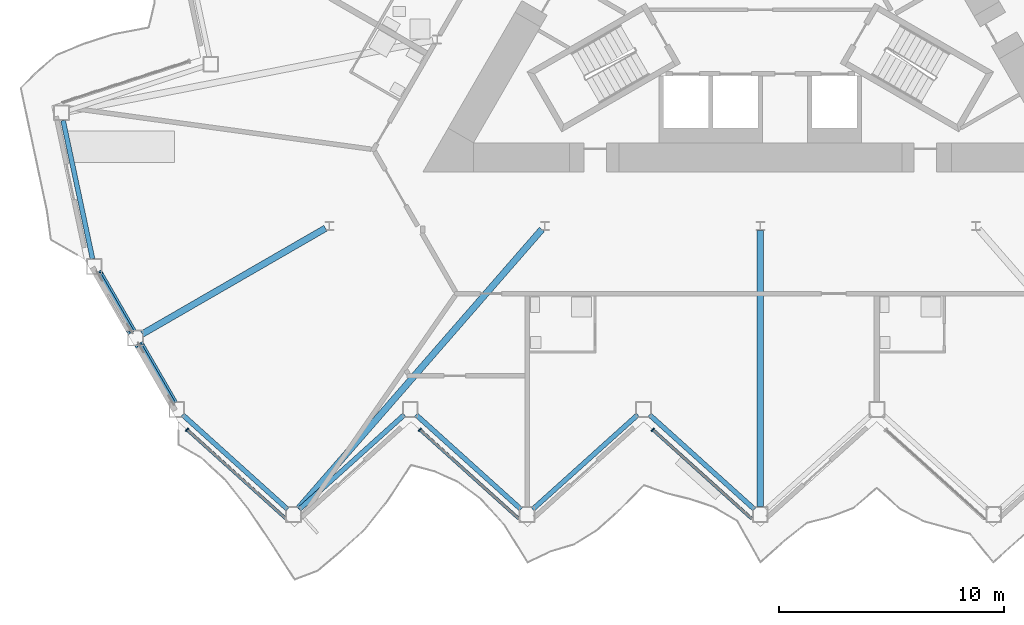
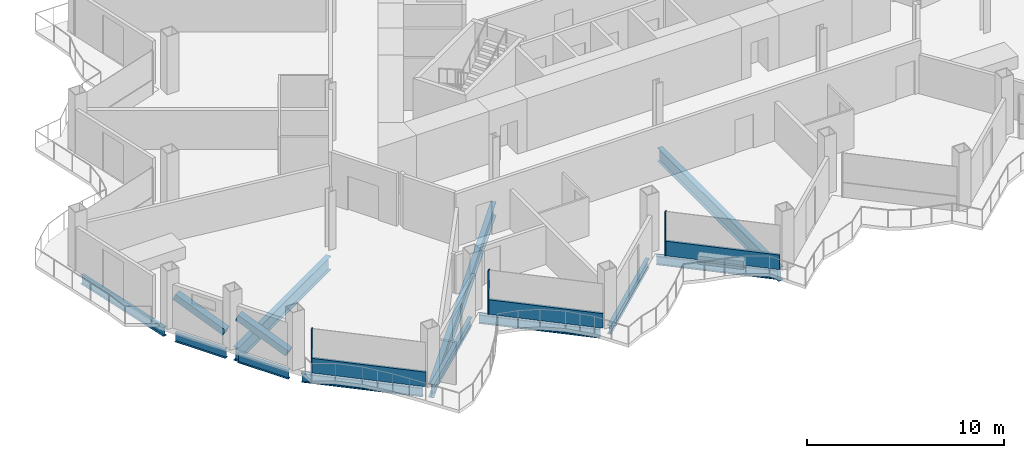
# One storey, part 4 of 23: 11 beams, 8 members, 3 elements without a shape of their own.
"""IFC4 building model written with IfcOpenShell, lengths in metres."""

from ifc_helpers import new_model, si_unit, direction, frame, origin, origin_2d, place, context, subcontext, project, spatial, rectangle, hollow_rectangle, i_section, extrude, material, layer, layer_set, material_profile, profile_set, type_object, element, aggregate, save


model = new_model("IFC4")

# Units and contexts
model_context = context("Model", 3, precision=1e-05, world=origin(), true_north=direction((0.0, 1.0)))
body_context = subcontext(model_context, "Body", "Model", "MODEL_VIEW")
ifc_project = project(units=[si_unit("LENGTHUNIT", "METRE"), si_unit("AREAUNIT", "SQUARE_METRE"), si_unit("VOLUMEUNIT", "CUBIC_METRE"), si_unit("PLANEANGLEUNIT", "RADIAN"), si_unit("MASSUNIT", "GRAM", prefix="KILO")], contexts=[model_context])

# Site, building, storey
site_placement = place(None, origin())
site = spatial("IfcSite", under=ifc_project, at=site_placement, CompositionType="ELEMENT")
building_placement = place(site_placement, origin())
building = spatial("IfcBuilding", under=site, at=building_placement, Name="Cormorant Prow Tower", CompositionType="ELEMENT")
storey_placement = place(building_placement, frame((0.0, 0.0, 249.0)))
storey = spatial("IfcBuildingStorey", under=building, at=storey_placement, Name="L55", CompositionType="ELEMENT", Elevation=249.0)

# Members
ifc_material_1 = material(Name="Structural steel ASTM A500 Gr C", Category="steel")
ifc_material_profile_1 = material_profile(ifc_material_1, hollow_rectangle(XDim=0.406494140625, YDim=0.406494140625, WallThickness=0.01171875, at=origin_2d()), Name="HSS16x16x1/2")
ifc_profile_set_1 = profile_set([ifc_material_profile_1], Name="Structural steel ASTM A500 Gr C")
member_type_1 = type_object("IfcMemberType", Name="Chamfer brace HSS16x16x1/2", PredefinedType="BRACE", material=ifc_profile_set_1)
for number, where, z_axis, x_axis, name in (
    (1, (-27.959228515625, -15.719970703125, 0.74951171875), (-0.462773096913, 0.801606962687, 0.378506721399), (-0.866041729639, -0.499971721724, 0.0), "Chamfer brace BR2 at WSW00 L55"),
    (2, (-26.1240234375, -18.898681640625, 0.74951171875), (-0.462773096913, 0.801606962687, 0.378506721399), (-0.866041729639, -0.499971721724, 0.0), "Chamfer brace BR2 at WSW01 L55"),
):
    element("IfcMember", number, at=place(storey_placement, frame(where, z_axis=z_axis, x_axis=x_axis)), inside=storey, type_object=member_type_1, Name=name, PredefinedType="BRACE", context=body_context, shape_type="SweptSolid", body=[
        extrude(hollow_rectangle(XDim=0.406494140625, YDim=0.406494140625, WallThickness=0.01171875, at=origin_2d()), origin(), (0.0, 0.0, 1.0), 3.17529296875),
    ])

# Curtain wall, member
ifc_material_2 = material(Name="Aluminium 6063-T6", Category="aluminium")
ifc_layer = layer(ifc_material_2, 0.179931640625)
ifc_layer_set = layer_set([ifc_layer], Name="Aluminium 6063-T6")
curtain_wall_type = type_object("IfcCurtainWallType", Name="Hotel unitised curtain wall 180", PredefinedType="NOTDEFINED", material=ifc_layer_set)
curtain_wall_1_placement = place(storey_placement, origin())
curtain_wall_1 = element("IfcCurtainWall", 3, at=curtain_wall_1_placement, inside=storey, type_object=curtain_wall_type, Name="Hotel curtain wall S00", PredefinedType="NOTDEFINED")
ifc_material_3 = material(Name="Aluminium 6063-T6", Category="aluminium")
ifc_material_profile_2 = material_profile(ifc_material_3, rectangle(XDim=0.179931640625, YDim=0.06005859375, at=origin_2d()), Name="Hotel mullion 60x180")
ifc_profile_set_2 = profile_set([ifc_material_profile_2], Name="Aluminium 6063-T6")
member_type_2 = type_object("IfcMemberType", Name="Hotel mullion 60x180", PredefinedType="MULLION", material=ifc_profile_set_2)
member_1_placement = place(storey_placement, frame((-25.48388671875, -20.113525390625, 0.0), z_axis=(0.0, 0.0, 1.0), x_axis=(0.669130621132, 0.743144812176, 0.0)))
member_1 = element("IfcMember", 4, at=member_1_placement, type_object=member_type_2, Name="Hotel mullion S00", PredefinedType="MULLION", context=body_context, shape_type="SweptSolid", body=[
    extrude(rectangle(XDim=0.179931640625, YDim=0.06005859375, at=origin_2d()), origin(), (0.0, 0.0, 1.0), 2.700927734375),
])

curtain_wall_2_placement = place(storey_placement, origin())
curtain_wall_2 = element("IfcCurtainWall", 5, at=curtain_wall_2_placement, inside=storey, type_object=curtain_wall_type, Name="Hotel curtain wall S02", PredefinedType="NOTDEFINED")
member_2_placement = place(storey_placement, frame((-15.132568359375, -20.113525390625, 0.0), z_axis=(0.0, 0.0, 1.0), x_axis=(0.66913054973, 0.743144876466, 0.0)))
member_2 = element("IfcMember", 6, at=member_2_placement, type_object=member_type_2, Name="Hotel mullion S02", PredefinedType="MULLION", context=body_context, shape_type="SweptSolid", body=[
    extrude(rectangle(XDim=0.179931640625, YDim=0.06005859375, at=origin_2d()), origin(), (0.0, 0.0, 1.0), 2.700927734375),
])

curtain_wall_3_placement = place(storey_placement, origin())
curtain_wall_3 = element("IfcCurtainWall", 7, at=curtain_wall_3_placement, inside=storey, type_object=curtain_wall_type, Name="Hotel curtain wall S04", PredefinedType="NOTDEFINED")
member_3_placement = place(storey_placement, frame((-4.781005859375, -20.113525390625, 0.0), z_axis=(0.0, 0.0, 1.0), x_axis=(0.669130621132, 0.743144812176, 0.0)))
member_3 = element("IfcMember", 8, at=member_3_placement, type_object=member_type_2, Name="Hotel mullion S04", PredefinedType="MULLION", context=body_context, shape_type="SweptSolid", body=[
    extrude(rectangle(XDim=0.179931640625, YDim=0.06005859375, at=origin_2d()), origin(), (0.0, 0.0, 1.0), 2.700927734375),
])

# Member
ifc_material_4 = material(Name="Terracotta", Category="masonry")
ifc_material_profile_3 = material_profile(ifc_material_4, rectangle(XDim=0.139892578125, YDim=0.89990234375, at=origin_2d()), Name="Hotel terracotta spandrel rail 140x900")
ifc_profile_set_3 = profile_set([ifc_material_profile_3], Name="Terracotta")
member_type_3 = type_object("IfcMemberType", Name="Hotel terracotta spandrel rail 140x900", PredefinedType="USERDEFINED", material=ifc_profile_set_3)
member_4_placement = place(storey_placement, frame((-25.461669921875, -20.133544921875, 0.449951171875), z_axis=(0.743135764778, -0.669140669148, 0.0), x_axis=(0.669140669148, 0.743135764778, 0.0)))
member_4 = element("IfcMember", 9, at=member_4_placement, type_object=member_type_3, Name="Hotel spandrel rail S00", ObjectType="TRANSOM", PredefinedType="USERDEFINED", context=body_context, shape_type="SweptSolid", body=[
    extrude(rectangle(XDim=0.139892578125, YDim=0.89990234375, at=origin_2d()), origin(), (0.0, 0.0, 1.0), 5.902587890625),
])

aggregate(curtain_wall_1, [member_1, member_4])

member_5_placement = place(storey_placement, frame((-15.110107421875, -20.133544921875, 0.449951171875), z_axis=(0.743135764778, -0.669140669148, 0.0), x_axis=(0.669140669148, 0.743135764778, 0.0)))
member_5 = element("IfcMember", 10, at=member_5_placement, type_object=member_type_3, Name="Hotel spandrel rail S02", ObjectType="TRANSOM", PredefinedType="USERDEFINED", context=body_context, shape_type="SweptSolid", body=[
    extrude(rectangle(XDim=0.139892578125, YDim=0.89990234375, at=origin_2d()), origin(), (0.0, 0.0, 1.0), 5.902587890625),
])

aggregate(curtain_wall_2, [member_2, member_5])

member_6_placement = place(storey_placement, frame((-4.7587890625, -20.133544921875, 0.449951171875), z_axis=(0.743135764778, -0.669140669148, 0.0), x_axis=(0.669140669148, 0.743135764778, 0.0)))
member_6 = element("IfcMember", 11, at=member_6_placement, type_object=member_type_3, Name="Hotel spandrel rail S04", ObjectType="TRANSOM", PredefinedType="USERDEFINED", context=body_context, shape_type="SweptSolid", body=[
    extrude(rectangle(XDim=0.139892578125, YDim=0.89990234375, at=origin_2d()), origin(), (0.0, 0.0, 1.0), 5.902587890625),
])

aggregate(curtain_wall_3, [member_3, member_6])

# Beams
ifc_material_5 = material(Name="Structural steel ASTM A992 Gr 50", Category="steel")
ifc_material_profile_4 = material_profile(ifc_material_5, i_section(OverallWidth=0.29296875, OverallDepth=0.845703125, WebThickness=0.015380859375, FlangeThickness=0.0244140625, at=origin_2d()), Name="W33x141")
ifc_profile_set_4 = profile_set([ifc_material_profile_4], Name="Structural steel ASTM A992 Gr 50")
beam_type_1 = type_object("IfcBeamType", Name="Radial floor beam W33x141", PredefinedType="BEAM", material=ifc_profile_set_4)
beam_1_placement = place(storey_placement, frame((-19.32958984375, -11.159912109375, -0.77294921875), z_axis=(-0.866021726843, -0.500006368596, 0.0), x_axis=(0.500006368596, -0.866021726843, 0.0)))
element("IfcBeam", 12, at=beam_1_placement, inside=storey, type_object=beam_type_1, Name="Radial floor beam FB2 5 L55", PredefinedType="BEAM", context=body_context, shape_type="SweptSolid", body=[
    extrude(i_section(OverallWidth=0.29296875, OverallDepth=0.845703125, WebThickness=0.015380859375, FlangeThickness=0.0244140625, at=origin_2d()), origin(), (0.0, 0.0, 1.0), 9.40380859375),
])
beam_2_placement = place(storey_placement, frame((-9.70947265625, -11.210693359375, -0.77294921875), z_axis=(-0.656874593387, -0.753999846527, 0.0), x_axis=(0.753999846527, -0.656874593387, 0.0)))
element("IfcBeam", 13, at=beam_2_placement, inside=storey, type_object=beam_type_1, Name="Radial floor beam FB2 6 L55", PredefinedType="BEAM", context=body_context, shape_type="SweptSolid", body=[
    extrude(i_section(OverallWidth=0.29296875, OverallDepth=0.845703125, WebThickness=0.015380859375, FlangeThickness=0.0244140625, at=origin_2d()), origin(), (0.0, 0.0, 1.0), 16.4619140625),
])
beam_3_placement = place(storey_placement, frame((0.0, -11.259765625, -0.77294921875), z_axis=(0.0, -1.0, 0.0), x_axis=(1.0, 0.0, 0.0)))
element("IfcBeam", 14, at=beam_3_placement, inside=storey, type_object=beam_type_1, Name="Radial floor beam FB2 7 L55", PredefinedType="BEAM", context=body_context, shape_type="SweptSolid", body=[
    extrude(i_section(OverallWidth=0.29296875, OverallDepth=0.845703125, WebThickness=0.015380859375, FlangeThickness=0.0244140625, at=origin_2d()), origin(), (0.0, 0.0, 1.0), 12.277099609375),
])
ifc_material_6 = material(Name="Structural steel ASTM A992 Gr 50", Category="steel")
ifc_material_profile_5 = material_profile(ifc_material_6, i_section(OverallWidth=0.2138671875, OverallDepth=0.549072265625, WebThickness=0.0146484375, FlangeThickness=0.023681640625, at=origin_2d()), Name="W21x93")
ifc_profile_set_5 = profile_set([ifc_material_profile_5], Name="Structural steel ASTM A992 Gr 50")
beam_type_2 = type_object("IfcBeamType", Name="Spandrel beam W21x93", PredefinedType="SPANDREL", material=ifc_profile_set_5)
for number, where, z_axis, x_axis, name in (
    (15, (-25.68115234375, -19.44970703125, -0.62451171875), (0.743156918576, -0.669117175368, 0.0), (0.669117175368, 0.743156918576, 0.0), "Spandrel beam SB2 S00-S01 L55"),
    (16, (-20.492919921875, -23.65283203125, -0.62451171875), (0.743156918576, 0.669117175368, 0.0), (-0.669117175368, 0.743156918576, 0.0), "Spandrel beam SB2 S01-S02 L55"),
    (17, (-15.3046875, -19.44970703125, -0.62451171875), (0.743156918576, -0.669117175368, 0.0), (0.669117175368, 0.743156918576, 0.0), "Spandrel beam SB2 S02-S03 L55"),
    (18, (-10.116455078125, -23.65283203125, -0.62451171875), (0.743156918576, 0.669117175368, 0.0), (-0.669117175368, 0.743156918576, 0.0), "Spandrel beam SB2 S03-S04 L55"),
    (19, (-4.92822265625, -19.44970703125, -0.62451171875), (0.743156918576, -0.669117175368, 0.0), (0.669117175368, 0.743156918576, 0.0), "Spandrel beam SB2 S04-S05 L55"),
):
    element("IfcBeam", number, at=place(storey_placement, frame(where, z_axis=z_axis, x_axis=x_axis)), inside=storey, type_object=beam_type_2, Name=name, PredefinedType="SPANDREL", context=body_context, shape_type="SweptSolid", body=[
        extrude(i_section(OverallWidth=0.2138671875, OverallDepth=0.549072265625, WebThickness=0.0146484375, FlangeThickness=0.023681640625, at=origin_2d()), origin(), (0.0, 0.0, 1.0), 6.281494140625),
    ])
beam_4_placement = place(storey_placement, frame((-30.990478515625, -6.37158203125, -0.62451171875), z_axis=(0.207941499013, -0.978141264331, 0.0), x_axis=(0.978141264331, 0.207941499013, 0.0)))
element("IfcBeam", 20, at=beam_4_placement, inside=storey, type_object=beam_type_2, Name="Spandrel beam SB2 WNW09-WSW00 L55", PredefinedType="SPANDREL", context=body_context, shape_type="SweptSolid", body=[
    extrude(i_section(OverallWidth=0.2138671875, OverallDepth=0.549072265625, WebThickness=0.0146484375, FlangeThickness=0.023681640625, at=origin_2d()), origin(), (0.0, 0.0, 1.0), 6.28125),
])
for number, where, z_axis, x_axis, name in (
    (21, (-29.4365234375, -13.1611328125, -0.62451171875), (0.499966725515, -0.866044613965, 0.0), (0.866044613965, 0.499966725515, 0.0), "Spandrel beam SB2 WSW00-WSW01 L55"),
    (22, (-27.601318359375, -16.33984375, -0.62451171875), (0.499966725515, -0.866044613965, 0.0), (0.866044613965, 0.499966725515, 0.0), "Spandrel beam SB2 WSW01-S00 L55"),
):
    element("IfcBeam", number, at=place(storey_placement, frame(where, z_axis=z_axis, x_axis=x_axis)), inside=storey, type_object=beam_type_2, Name=name, PredefinedType="SPANDREL", context=body_context, shape_type="SweptSolid", body=[
        extrude(i_section(OverallWidth=0.2138671875, OverallDepth=0.549072265625, WebThickness=0.0146484375, FlangeThickness=0.023681640625, at=origin_2d()), origin(), (0.0, 0.0, 1.0), 2.970458984375),
    ])

save(model, "model.ifc")
